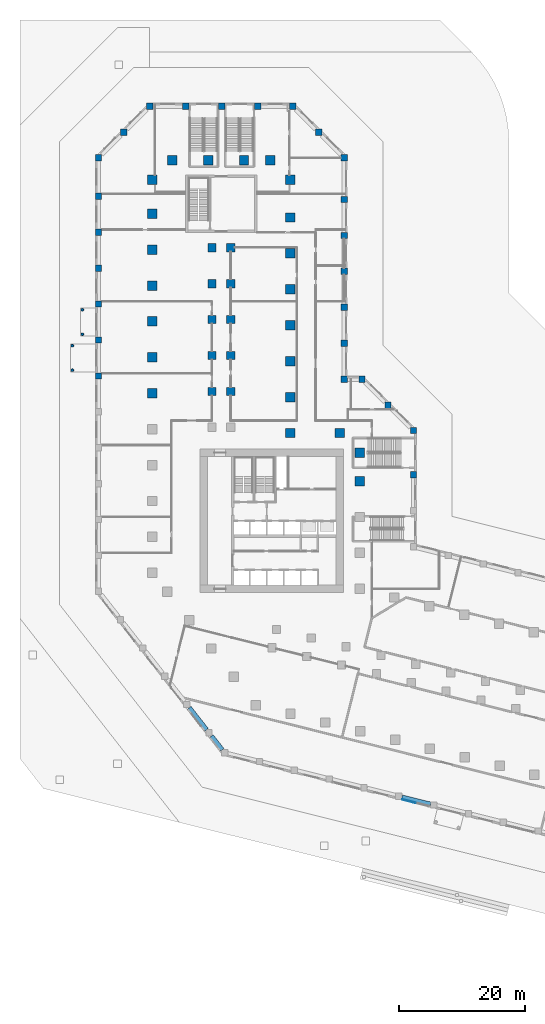
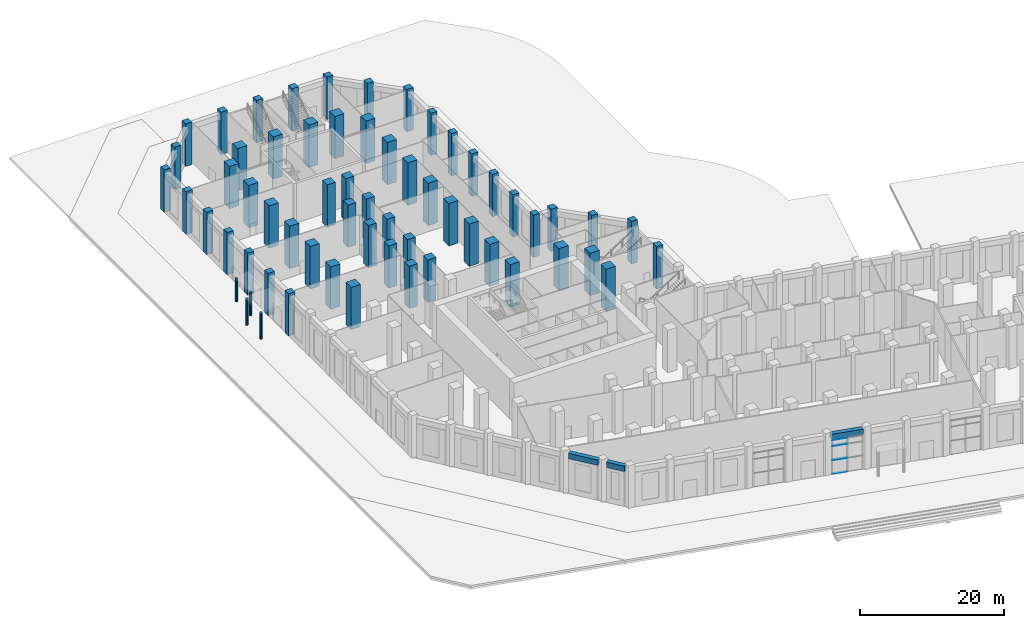
# One storey, part 4 of 27: 61 columns, 4 members, 3 beams, 1 element without a shape of its own.
"""IFC4 building model written with IfcOpenShell, lengths in metres."""

import ifcopenshell
import ifcopenshell.guid

model = None  # the IFC model being written
_history = None  # IfcOwnerHistory: only IFC2X3 demands one
_inside = {}  # id of a spatial element -> (the spatial element, [elements in it])
_under = {}  # id of a project, library or spatial element -> (it, [spatial elements below it])
_declared = {}  # id of a project -> (the project, [libraries it declares])
_typed = {}  # id of a type object -> (the type object, [elements of that type])
_made_of = {}  # id of a material, layer set ... -> (it, [elements and type objects made of it])


def new_model(schema):
    """Start an empty IFC model of exactly this schema.

    Asked for "IFC4X3", IfcOpenShell would pick the latest addendum, in which some entities
    have other attributes; the version numbers below select the first issue.
    IFC2X3 requires an IfcOwnerHistory on every rooted entity: one is made here for all.
    """
    global model, _history
    if schema == "IFC4X3":
        model = ifcopenshell.file(schema_version=(4, 3, 0, 0))
    else:
        model = ifcopenshell.file(schema=schema)
    _inside.clear()
    _under.clear()
    _declared.clear()
    _typed.clear()
    _made_of.clear()
    _history = None
    if model.schema == "IFC2X3":
        org = make("IfcOrganization", Name="unknown")
        user = make(
            "IfcPersonAndOrganization",
            ThePerson=make("IfcPerson", FamilyName="unknown"),
            TheOrganization=org,
        )
        app = make(
            "IfcApplication",
            ApplicationDeveloper=org,
            Version="unknown",
            ApplicationFullName="unknown",
            ApplicationIdentifier="unknown",
        )
        _history = make(
            "IfcOwnerHistory",
            OwningUser=user,
            OwningApplication=app,
            ChangeAction="ADDED",
            CreationDate=0,
        )
    return model


def make(cls, **values):
    """One entity of the class cls with the attributes given. An attribute that is None is left unset."""
    return model.create_entity(
        cls, **{name: value for name, value in values.items() if value is not None}
    )


def rooted(cls, **values):
    """An entity with a GlobalId (a new one), such as an element, a storey or a relation."""
    return make(cls, GlobalId=ifcopenshell.guid.new(), OwnerHistory=_history, **values)


def si_unit(unit_type, name, prefix=None):
    """IfcSIUnit, for example si_unit("LENGTHUNIT", "METRE", prefix="MILLI")."""
    return make("IfcSIUnit", UnitType=unit_type, Prefix=prefix, Name=name)


def assignment(units):
    """IfcUnitAssignment: the units of a project."""
    return None if units is None else make("IfcUnitAssignment", Units=units)


def point(xyz):
    """IfcCartesianPoint."""
    return None if xyz is None else make("IfcCartesianPoint", Coordinates=xyz)


def direction(xyz):
    """IfcDirection."""
    return None if xyz is None else make("IfcDirection", DirectionRatios=xyz)


def frame(location, z_axis=None, x_axis=None):
    """IfcAxis2Placement3D, a coordinate frame: its origin and axes. An axis left out is left unset."""
    return make(
        "IfcAxis2Placement3D",
        Location=point(location),
        Axis=direction(z_axis),
        RefDirection=direction(x_axis),
    )


def frame_2d(location, x_axis=None):
    """IfcAxis2Placement2D, a coordinate frame in the plane: its origin and x axis."""
    return make(
        "IfcAxis2Placement2D", Location=point(location), RefDirection=direction(x_axis)
    )


def origin():
    """The frame at (0, 0, 0) with its axes left unset."""
    return frame((0.0, 0.0, 0.0))


def origin_2d():
    """The frame at (0, 0) in the plane with its x axis left unset."""
    return frame_2d((0.0, 0.0))


def place(relative_to, where):
    """IfcLocalPlacement: puts the frame where relative to a parent placement (None: the world)."""
    return make(
        "IfcLocalPlacement", PlacementRelTo=relative_to, RelativePlacement=where
    )


def context(
    kind, dimensions, precision=None, world=None, true_north=None, identifier=None
):
    """IfcGeometricRepresentationContext, for example the 3D "Model" context."""
    return make(
        "IfcGeometricRepresentationContext",
        ContextIdentifier=identifier,
        ContextType=kind,
        CoordinateSpaceDimension=dimensions,
        Precision=precision,
        WorldCoordinateSystem=world,
        TrueNorth=true_north,
    )


def subcontext(parent, identifier, kind, view, scale=None):
    """IfcGeometricRepresentationSubContext, for example "Body" below "Model"."""
    return make(
        "IfcGeometricRepresentationSubContext",
        ContextIdentifier=identifier,
        ContextType=kind,
        ParentContext=parent,
        TargetScale=scale,
        TargetView=view,
    )


def project(units=None, contexts=None):
    """IfcProject with its units and contexts."""
    return rooted(
        "IfcProject",
        Name="project",
        RepresentationContexts=contexts,
        UnitsInContext=assignment(units),
    )


def spatial(cls, under=None, at=None, **own):
    """A site, building, storey or space (cls), placed at a placement, below another one or the project."""
    s = rooted(cls, ObjectPlacement=at, **own)
    if under is not None:
        _under.setdefault(under.id(), (under, []))[1].append(s)
    return s


def profile(cls, at=None, kind="AREA", **sizes):
    """A parametric profile (cls). Its sizes go by their IFC names, for example OverallWidth=200.0."""
    return make(cls, ProfileType=kind, Position=at, **sizes)


def rectangle(**sizes):
    """IfcRectangleProfileDef."""
    return profile("IfcRectangleProfileDef", **sizes)


def circle(**sizes):
    """IfcCircleProfileDef."""
    return profile("IfcCircleProfileDef", **sizes)


def extrude(swept, where, along, depth):
    """IfcExtrudedAreaSolid: the profile swept, set in the frame where, extruded along a direction by depth."""
    return make(
        "IfcExtrudedAreaSolid",
        SweptArea=swept,
        Position=where,
        ExtrudedDirection=direction(along),
        Depth=depth,
    )


def shape(context_of_items, identifier, shape_type, items):
    """IfcShapeRepresentation: the items that make up one representation, for example the "Body"."""
    return make(
        "IfcShapeRepresentation",
        ContextOfItems=context_of_items,
        RepresentationIdentifier=identifier,
        RepresentationType=shape_type,
        Items=items,
    )


def material(Name=None, Category=None):
    """IfcMaterial."""
    return make("IfcMaterial", Name=Name, Category=Category)


def material_profile(
    of_material, cross_section, Name=None, Category=None, Priority=None
):
    """IfcMaterialProfile: a cross section and its material."""
    return make(
        "IfcMaterialProfile",
        Name=Name,
        Material=of_material,
        Profile=cross_section,
        Priority=Priority,
        Category=Category,
    )


def profile_set(profiles, Name=None, composite=None):
    """IfcMaterialProfileSet."""
    return make(
        "IfcMaterialProfileSet",
        Name=Name,
        MaterialProfiles=profiles,
        CompositeProfile=composite,
    )


def made_of(thing, what):
    """Note that an element or type object is made of a material, layer set ...; save() writes the relation."""
    if what is not None:
        _made_of.setdefault(what.id(), (what, []))[1].append(thing)
    return thing


def type_object(cls, material=None, **own):
    """A type object (cls), such as IfcWallType, which elements share."""
    return made_of(rooted(cls, **own), material)


def element(
    cls,
    number,
    at=None,
    inside=None,
    cuts=None,
    type_object=None,
    material=None,
    context=None,
    identifier="Body",
    shape_type=None,
    held_by="IfcProductDefinitionShape",
    body=None,
    shapes=None,
    **own,
):
    """One element of the class cls, such as IfcWall. Its Tag is "e" and its number.

    at: its placement. inside: the storey or other place that contains it. cuts: it is an
    opening in that element (IfcRelVoidsElement). A single representation is given by context,
    identifier, shape_type and body (its items); several are given by shapes. held_by: the class
    of the entity that holds the representations. save() writes the other relations.
    """
    e = rooted(cls, Tag="e%d" % number, ObjectPlacement=at, **own)
    if body is not None:
        shapes = [shape(context, identifier, shape_type, body)]
    if shapes is not None:
        e.Representation = make(held_by, Representations=shapes)
    if inside is not None:
        _inside.setdefault(inside.id(), (inside, []))[1].append(e)
    if cuts is not None:
        rooted(
            "IfcRelVoidsElement", RelatingBuildingElement=cuts, RelatedOpeningElement=e
        )
    if type_object is not None:
        _typed.setdefault(type_object.id(), (type_object, []))[1].append(e)
    return made_of(e, material)


def aggregate(whole, parts):
    """IfcRelAggregates: a whole, such as a stair, and the parts it consists of."""
    return rooted("IfcRelAggregates", RelatingObject=whole, RelatedObjects=parts)


def save(model, path):
    """Write the relations noted so far, then the file.

    IfcRelAggregates (storeys below a building ...), IfcRelContainedInSpatialStructure (elements
    in a storey), IfcRelDefinesByType, IfcRelAssociatesMaterial and IfcRelDeclares: one each for
    every whole, place, type object, material and project.
    """
    for whole, parts in _under.values():
        aggregate(whole, parts)
    for where, things in _inside.values():
        rooted(
            "IfcRelContainedInSpatialStructure",
            RelatedElements=things,
            RelatingStructure=where,
        )
    for kind, things in _typed.values():
        rooted("IfcRelDefinesByType", RelatedObjects=things, RelatingType=kind)
    for what, things in _made_of.values():
        rooted("IfcRelAssociatesMaterial", RelatedObjects=things, RelatingMaterial=what)
    for by, libraries in _declared.values():
        rooted("IfcRelDeclares", RelatingContext=by, RelatedDefinitions=libraries)
    model.write(path)


model = new_model("IFC4")

# Units and contexts
model_context = context("Model", 3, precision=1e-05, world=origin(), true_north=direction((0.0, 1.0)))
body_context = subcontext(model_context, "Body", "Model", "MODEL_VIEW")
ifc_project = project(units=[si_unit("LENGTHUNIT", "METRE"), si_unit("AREAUNIT", "SQUARE_METRE"), si_unit("VOLUMEUNIT", "CUBIC_METRE"), si_unit("PLANEANGLEUNIT", "RADIAN"), si_unit("MASSUNIT", "GRAM", prefix="KILO")], contexts=[model_context])

# Site, building, storey
site_placement = place(None, origin())
site = spatial("IfcSite", under=ifc_project, at=site_placement, CompositionType="ELEMENT")
building_placement = place(site_placement, origin())
building = spatial("IfcBuilding", under=site, at=building_placement, Name="Meshkara Civic Tower", CompositionType="ELEMENT")
storey_placement = place(building_placement, origin())
storey = spatial("IfcBuildingStorey", under=building, at=storey_placement, Name="L00", CompositionType="ELEMENT", Elevation=0.0)

# Columns
ifc_material_1 = material(Name="Concrete C40/50", Category="concrete")
ifc_material_profile_1 = material_profile(ifc_material_1, circle(Radius=0.199951171875, at=origin_2d()))
ifc_profile_set_1 = profile_set([ifc_material_profile_1], Name="Concrete C40/50")
column_type_1 = type_object("IfcColumnType", Name="Canopy post RC D400 C40/50", PredefinedType="COLUMN", material=ifc_profile_set_1)
for number, where, z_axis, x_axis, name in (
    (1, (-10.64990234375, 59.010986328125, 0.0), (0.0, 0.0, 1.0), (1.0, 0.0, 0.0), "Canopy post"),
    (2, (-10.64990234375, 55.111083984375, 0.0), (0.0, 0.0, 1.0), (1.0, 0.0, 0.0), "Canopy post"),
):
    element("IfcColumn", number, at=place(storey_placement, frame(where, z_axis=z_axis, x_axis=x_axis)), inside=storey, type_object=column_type_1, Name=name, PredefinedType="COLUMN", context=body_context, shape_type="SweptSolid", body=[
        extrude(circle(Radius=0.199951171875, at=origin_2d()), origin(), (0.0, 0.0, 1.0), 4.0),
    ])
for number, where, z_axis, x_axis, name in (
    (3, (-12.25, 53.31103515625, 0.0), (0.0, 0.0, 1.0), (1.0, 0.0, 0.0), "Canopy post"),
    (4, (-12.25, 49.410888671875, 0.0), (0.0, 0.0, 1.0), (1.0, 0.0, 0.0), "Canopy post"),
):
    element("IfcColumn", number, at=place(storey_placement, frame(where, z_axis=z_axis, x_axis=x_axis)), inside=storey, type_object=column_type_1, Name=name, PredefinedType="COLUMN", context=body_context, shape_type="SweptSolid", body=[
        extrude(circle(Radius=0.199951171875, at=origin_2d()), origin(), (0.0, 0.0, 1.0), 4.5),
    ])
ifc_material_2 = material(Name="Concrete C80", Category="concrete")
ifc_material_profile_2 = material_profile(ifc_material_2, rectangle(XDim=1.300048828125, YDim=1.300048828125, at=origin_2d()))
ifc_profile_set_2 = profile_set([ifc_material_profile_2], Name="Concrete C80")
column_type_2 = type_object("IfcColumnType", Name="Interior column RC 1300x1300 C80", PredefinedType="COLUMN", material=ifc_profile_set_2)
for number, where, z_axis, x_axis, name in (
    (5, (9.89990234375, 46.050048828125, 0.0), (0.0, 0.0, 1.0), (1.0, 0.0, 0.0), "Column SA1-05 L00"),
    (6, (9.89990234375, 51.75, 0.0), (0.0, 0.0, 1.0), (1.0, 0.0, 0.0), "Column SA1-06 L00"),
    (7, (9.89990234375, 57.449951171875, 0.0), (0.0, 0.0, 1.0), (1.0, 0.0, 0.0), "Column SA1-07 L00"),
    (8, (9.89990234375, 63.14990234375, 0.0), (0.0, 0.0, 1.0), (1.0, 0.0, 0.0), "Column SA1-08 L00"),
    (9, (9.89990234375, 68.85009765625, 0.0), (0.0, 0.0, 1.0), (1.0, 0.0, 0.0), "Column SA1-09 L00"),
    (10, (12.89990234375, 46.050048828125, 0.0), (0.0, 0.0, 1.0), (1.0, 0.0, 0.0), "Column SA2-05 L00"),
    (11, (12.89990234375, 51.75, 0.0), (0.0, 0.0, 1.0), (1.0, 0.0, 0.0), "Column SA2-06 L00"),
    (12, (12.89990234375, 57.449951171875, 0.0), (0.0, 0.0, 1.0), (1.0, 0.0, 0.0), "Column SA2-07 L00"),
    (13, (12.89990234375, 63.14990234375, 0.0), (0.0, 0.0, 1.0), (1.0, 0.0, 0.0), "Column SA2-08 L00"),
    (14, (12.89990234375, 68.85009765625, 0.0), (0.0, 0.0, 1.0), (1.0, 0.0, 0.0), "Column SA2-09 L00"),
):
    element("IfcColumn", number, at=place(storey_placement, frame(where, z_axis=z_axis, x_axis=x_axis)), inside=storey, type_object=column_type_2, Name=name, PredefinedType="COLUMN", context=body_context, shape_type="SweptSolid", body=[
        extrude(rectangle(XDim=1.300048828125, YDim=1.300048828125, at=origin_2d()), origin(), (0.0, 0.0, 1.0), 7.199951171875),
    ])
ifc_material_3 = material(Name="Concrete C80", Category="concrete")
ifc_material_profile_3 = material_profile(ifc_material_3, rectangle(XDim=1.5, YDim=1.5, at=origin_2d()))
ifc_profile_set_3 = profile_set([ifc_material_profile_3], Name="Concrete C80")
column_type_3 = type_object("IfcColumnType", Name="Perimeter column RC 1500x1500 C80", PredefinedType="COLUMN", material=ifc_profile_set_3)
for number, where, z_axis, x_axis, name in (
    (15, (33.35009765625, 31.819091796875, 0.0), (0.0, 0.0, 1.0), (1.0, 0.0, 0.0), "Column HE03 L00"),
    (16, (33.35009765625, 36.2939453125, 0.0), (0.0, 0.0, 1.0), (1.0, 0.0, 0.0), "Column HEE L00"),
    (17, (30.194091796875, 39.449951171875, 0.0), (0.0, 0.0, 1.0), (1.0, 0.0, 0.0), "Column HCeE L00"),
    (18, (22.35009765625, 39.449951171875, 0.0), (0.0, 0.0, 1.0), (1.0, 0.0, 0.0), "Column HN00 L00"),
    (19, (22.35009765625, 45.14990234375, 0.0), (0.0, 0.0, 1.0), (1.0, 0.0, 0.0), "Column AE01 L00"),
    (20, (22.35009765625, 50.85009765625, 0.0), (0.0, 0.0, 1.0), (1.0, 0.0, 0.0), "Column AE02 L00"),
    (21, (22.35009765625, 56.550048828125, 0.0), (0.0, 0.0, 1.0), (1.0, 0.0, 0.0), "Column AE03 L00"),
    (22, (22.35009765625, 62.25, 0.0), (0.0, 0.0, 1.0), (1.0, 0.0, 0.0), "Column AE04 L00"),
    (23, (22.35009765625, 67.949951171875, 0.0), (0.0, 0.0, 1.0), (1.0, 0.0, 0.0), "Column AE05 L00"),
    (24, (22.35009765625, 73.64990234375, 0.0), (0.0, 0.0, 1.0), (1.0, 0.0, 0.0), "Column AE06 L00"),
    (25, (22.35009765625, 79.614013671875, 0.0), (0.0, 0.0, 1.0), (1.0, 0.0, 0.0), "Column AEE L00"),
    (26, (19.194091796875, 82.77001953125, 0.0), (0.0, 0.0, 1.0), (1.0, 0.0, 0.0), "Column ATiE L00"),
    (27, (3.60595703125, 82.77001953125, 0.0), (0.0, 0.0, 1.0), (1.0, 0.0, 0.0), "Column AT00 L00"),
    (28, (9.305908203125, 82.77001953125, 0.0), (0.0, 0.0, 1.0), (1.0, 0.0, 0.0), "Column AT01 L00"),
    (29, (15.006103515625, 82.77001953125, 0.0), (0.0, 0.0, 1.0), (1.0, 0.0, 0.0), "Column AT02 L00"),
    (30, (0.449951171875, 79.614013671875, 0.0), (0.0, 0.0, 1.0), (1.0, 0.0, 0.0), "Column ATo00 L00"),
    (31, (0.449951171875, 45.7548828125, 0.0), (0.0, 0.0, 1.0), (1.0, 0.0, 0.0), "Column AW05 L00"),
    (32, (0.449951171875, 51.455078125, 0.0), (0.0, 0.0, 1.0), (1.0, 0.0, 0.0), "Column AW06 L00"),
    (33, (0.449951171875, 57.155029296875, 0.0), (0.0, 0.0, 1.0), (1.0, 0.0, 0.0), "Column AW07 L00"),
    (34, (0.449951171875, 62.85498046875, 0.0), (0.0, 0.0, 1.0), (1.0, 0.0, 0.0), "Column AW08 L00"),
    (35, (0.449951171875, 68.554931640625, 0.0), (0.0, 0.0, 1.0), (1.0, 0.0, 0.0), "Column AW09 L00"),
    (36, (0.449951171875, 74.2548828125, 0.0), (0.0, 0.0, 1.0), (1.0, 0.0, 0.0), "Column AW10 L00"),
):
    element("IfcColumn", number, at=place(storey_placement, frame(where, z_axis=z_axis, x_axis=x_axis)), inside=storey, type_object=column_type_3, Name=name, PredefinedType="COLUMN", context=body_context, shape_type="SweptSolid", body=[
        extrude(rectangle(XDim=1.5, YDim=1.5, at=origin_2d()), origin(), (0.0, 0.0, 1.0), 7.199951171875),
    ])
ifc_material_4 = material(Name="Concrete C60", Category="concrete")
ifc_material_profile_4 = material_profile(ifc_material_4, rectangle(XDim=1.0, YDim=1.0, at=origin_2d()))
ifc_profile_set_4 = profile_set([ifc_material_profile_4], Name="Concrete C60")
column_type_4 = type_object("IfcColumnType", Name="Podium edge column RC 1000x1000 C60", PredefinedType="COLUMN", material=ifc_profile_set_4)
for number, where, z_axis, x_axis, name in (
    (37, (0.06396484375, 91.320068359375, 0.0), (0.0, 0.0, 1.0), (1.0, 0.0, 0.0), "Column PD00-00 L00"),
    (38, (5.763916015625, 91.320068359375, 0.0), (0.0, 0.0, 1.0), (1.0, 0.0, 0.0), "Column PD00-01 L00"),
    (39, (11.464111328125, 91.320068359375, 0.0), (0.0, 0.0, 1.0), (1.0, 0.0, 0.0), "Column PD00-02 L00"),
    (40, (17.1640625, 91.320068359375, 0.0), (0.0, 0.0, 1.0), (1.0, 0.0, 0.0), "Column PD00-03 L00"),
    (41, (22.736083984375, 91.320068359375, 0.0), (0.0, 0.0, 1.0), (1.0, 0.0, 0.0), "Column PD00-E L00"),
    (42, (-8.10009765625, 83.156005859375, 0.0), (0.0, 0.0, 1.0), (1.0, 0.0, 0.0), "Column PD01-00 L00"),
    (43, (-4.069091796875, 87.18701171875, 0.0), (0.0, 0.0, 1.0), (1.0, 0.0, 0.0), "Column PD01-01 L00"),
    (44, (-8.10009765625, 48.510986328125, 0.0), (0.0, 0.0, 1.0), (1.0, 0.0, 0.0), "Column PD02-06 L00"),
    (45, (-8.10009765625, 54.2109375, 0.0), (0.0, 0.0, 1.0), (1.0, 0.0, 0.0), "Column PD02-07 L00"),
    (46, (-8.10009765625, 59.910888671875, 0.0), (0.0, 0.0, 1.0), (1.0, 0.0, 0.0), "Column PD02-08 L00"),
    (47, (-8.10009765625, 65.611083984375, 0.0), (0.0, 0.0, 1.0), (1.0, 0.0, 0.0), "Column PD02-09 L00"),
    (48, (-8.10009765625, 71.31103515625, 0.0), (0.0, 0.0, 1.0), (1.0, 0.0, 0.0), "Column PD02-10 L00"),
    (49, (-8.10009765625, 77.010986328125, 0.0), (0.0, 0.0, 1.0), (1.0, 0.0, 0.0), "Column PD02-11 L00"),
    (50, (41.89990234375, 32.799072265625, 0.0), (0.0, 0.0, 1.0), (1.0, 0.0, 0.0), "Column PD09-02 L00"),
    (51, (41.89990234375, 39.8359375, 0.0), (0.0, 0.0, 1.0), (1.0, 0.0, 0.0), "Column PD09-E L00"),
    (52, (37.868896484375, 43.866943359375, 0.0), (0.0, 0.0, 1.0), (1.0, 0.0, 0.0), "Column PD10-01 L00"),
    (53, (33.736083984375, 48.0, 0.0), (0.0, 0.0, 1.0), (1.0, 0.0, 0.0), "Column PD10-E L00"),
    (54, (30.89990234375, 48.0, 0.0), (0.0, 0.0, 1.0), (1.0, 0.0, 0.0), "Column PD11-00 L00"),
    (55, (30.89990234375, 53.699951171875, 0.0), (0.0, 0.0, 1.0), (1.0, 0.0, 0.0), "Column PD12-01 L00"),
    (56, (30.89990234375, 59.39990234375, 0.0), (0.0, 0.0, 1.0), (1.0, 0.0, 0.0), "Column PD12-02 L00"),
    (57, (30.89990234375, 65.10009765625, 0.0), (0.0, 0.0, 1.0), (1.0, 0.0, 0.0), "Column PD12-03 L00"),
    (58, (30.89990234375, 70.800048828125, 0.0), (0.0, 0.0, 1.0), (1.0, 0.0, 0.0), "Column PD12-04 L00"),
    (59, (30.89990234375, 76.5, 0.0), (0.0, 0.0, 1.0), (1.0, 0.0, 0.0), "Column PD12-05 L00"),
    (60, (30.89990234375, 83.156005859375, 0.0), (0.0, 0.0, 1.0), (1.0, 0.0, 0.0), "Column PD12-E L00"),
    (61, (26.868896484375, 87.18701171875, 0.0), (0.0, 0.0, 1.0), (1.0, 0.0, 0.0), "Column PD13-01 L00"),
):
    element("IfcColumn", number, at=place(storey_placement, frame(where, z_axis=z_axis, x_axis=x_axis)), inside=storey, type_object=column_type_4, Name=name, PredefinedType="COLUMN", context=body_context, shape_type="SweptSolid", body=[
        extrude(rectangle(XDim=1.0, YDim=1.0, at=origin_2d()), origin(), (0.0, 0.0, 1.0), 7.199951171875),
    ])

# Curtain wall, members
ifc_material_5 = material(Name="Tinted double glazing", Category="glass")
curtain_wall_type = type_object("IfcCurtainWallType", Name="CW SERVICE HALL FRONT", PredefinedType="NOTDEFINED", material=ifc_material_5)
curtain_wall_placement = place(storey_placement, origin())
curtain_wall = element("IfcCurtainWall", 62, at=curtain_wall_placement, inside=storey, type_object=curtain_wall_type, Name="Curtain wall CW1", PredefinedType="NOTDEFINED")
ifc_material_6 = material(Name="Bronze anodised aluminium", Category="aluminium")
ifc_material_profile_5 = material_profile(ifc_material_6, rectangle(XDim=0.1201171875, YDim=0.06005859375, at=origin_2d()))
ifc_profile_set_5 = profile_set([ifc_material_profile_5], Name="Bronze anodised aluminium")
member_type = type_object("IfcMemberType", Name="CW TRANSOM 60x120", PredefinedType="USERDEFINED", material=ifc_profile_set_5)
member_1_placement = place(storey_placement, frame((40.13623046875, -18.736572265625, 0.030029296875), z_axis=(0.970269066962, -0.242028795182, 0.0), x_axis=(0.242028795182, 0.970269066962, 0.0)))
member_1 = element("IfcMember", 63, at=member_1_placement, type_object=member_type, Name="CW1 transom 1.1", ObjectType="TRANSOM", PredefinedType="USERDEFINED", context=body_context, shape_type="SweptSolid", body=[
    extrude(rectangle(XDim=0.1201171875, YDim=0.06005859375, at=origin_2d()), origin(), (0.0, 0.0, 1.0), 2.153564453125),
])
member_2_placement = place(storey_placement, frame((40.13623046875, -18.736572265625, 2.39990234375), z_axis=(0.970269066962, -0.242028795182, 0.0), x_axis=(0.242028795182, 0.970269066962, 0.0)))
member_2 = element("IfcMember", 64, at=member_2_placement, type_object=member_type, Name="CW1 transom 1.2", ObjectType="TRANSOM", PredefinedType="USERDEFINED", context=body_context, shape_type="SweptSolid", body=[
    extrude(rectangle(XDim=0.1201171875, YDim=0.06005859375, at=origin_2d()), origin(), (0.0, 0.0, 1.0), 2.153564453125),
])
member_3_placement = place(storey_placement, frame((40.13623046875, -18.736572265625, 4.800048828125), z_axis=(0.970269066962, -0.242028795182, 0.0), x_axis=(0.242028795182, 0.970269066962, 0.0)))
member_3 = element("IfcMember", 65, at=member_3_placement, type_object=member_type, Name="CW1 transom 1.3", ObjectType="TRANSOM", PredefinedType="USERDEFINED", context=body_context, shape_type="SweptSolid", body=[
    extrude(rectangle(XDim=0.1201171875, YDim=0.06005859375, at=origin_2d()), origin(), (0.0, 0.0, 1.0), 2.153564453125),
])
member_4_placement = place(storey_placement, frame((40.13623046875, -18.736572265625, 5.820068359375), z_axis=(0.970269066962, -0.242028795182, 0.0), x_axis=(0.242028795182, 0.970269066962, 0.0)))
member_4 = element("IfcMember", 66, at=member_4_placement, type_object=member_type, Name="CW1 transom 1.4", ObjectType="TRANSOM", PredefinedType="USERDEFINED", context=body_context, shape_type="SweptSolid", body=[
    extrude(rectangle(XDim=0.1201171875, YDim=0.06005859375, at=origin_2d()), origin(), (0.0, 0.0, 1.0), 2.153564453125),
])
aggregate(curtain_wall, [member_1, member_2, member_3, member_4])

# Beams
ifc_material_7 = material(Name="Concrete C60", Category="concrete")
ifc_material_profile_6 = material_profile(ifc_material_7, rectangle(XDim=0.699951171875, YDim=0.89990234375, at=origin_2d()))
ifc_profile_set_6 = profile_set([ifc_material_profile_6], Name="Concrete C60")
beam_type = type_object("IfcBeamType", Name="Spandrel beam RC 700x900 C60", PredefinedType="BEAM", material=ifc_profile_set_6)
beam_1_placement = place(storey_placement, frame((6.324462890625, -4.152099609375, 6.300048828125), z_axis=(0.615636574491, -0.788030207637, 0.0), x_axis=(0.788030207637, 0.615636574491, 0.0)))
element("IfcBeam", 67, at=beam_1_placement, inside=storey, type_object=beam_type, Name="Spandrel beam PD03-04-PD03-05", PredefinedType="BEAM", context=body_context, shape_type="SweptSolid", body=[
    extrude(rectangle(XDim=0.699951171875, YDim=0.89990234375, at=origin_2d()), origin(), (0.0, 0.0, 1.0), 4.441162109375),
])
beam_2_placement = place(storey_placement, frame((9.83349609375, -8.64404296875, 6.300048828125), z_axis=(0.615697082111, -0.787982933242, 0.0), x_axis=(0.787982933242, 0.615697082111, 0.0)))
element("IfcBeam", 68, at=beam_2_placement, inside=storey, type_object=beam_type, Name="Spandrel beam PD03-05-PD03-E", PredefinedType="BEAM", context=body_context, shape_type="SweptSolid", body=[
    extrude(rectangle(XDim=0.699951171875, YDim=0.89990234375, at=origin_2d()), origin(), (0.0, 0.0, 1.0), 2.76904296875),
])
beam_3_placement = place(storey_placement, frame((40.0751953125, -18.339599609375, 6.300048828125), z_axis=(0.970298839963, -0.241909406941, 0.0), x_axis=(0.241909406941, 0.970298839963, 0.0)))
element("IfcBeam", 69, at=beam_3_placement, inside=storey, type_object=beam_type, Name="Spandrel beam PD04-05-PD04-06", PredefinedType="BEAM", context=body_context, shape_type="SweptSolid", body=[
    extrude(rectangle(XDim=0.699951171875, YDim=0.89990234375, at=origin_2d()), origin(), (0.0, 0.0, 1.0), 4.6787109375),
])

save(model, "model.ifc")
